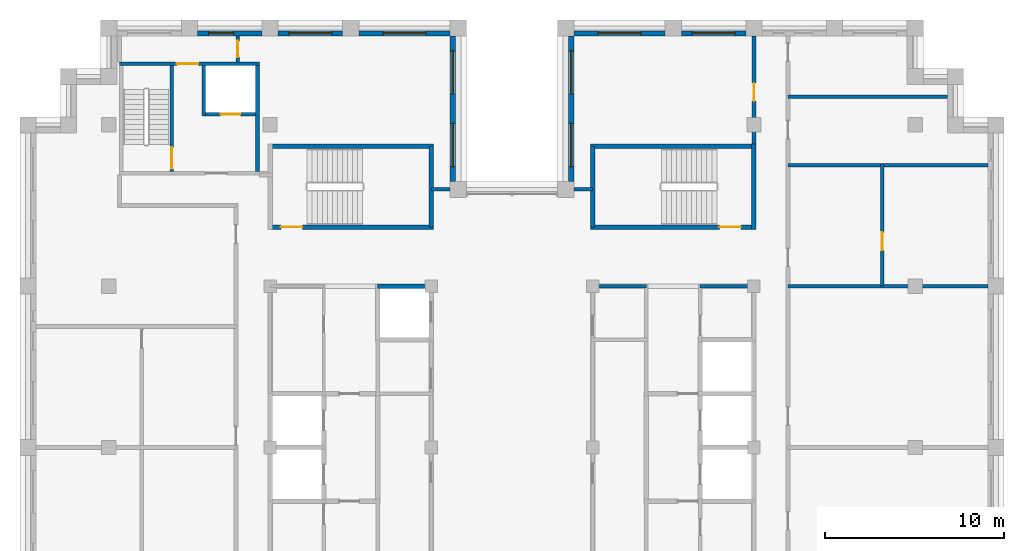
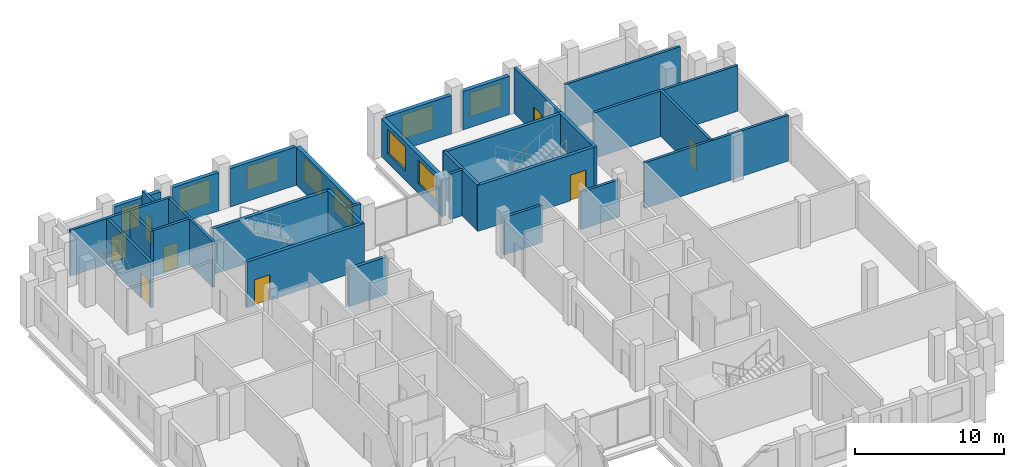
# One storey, part 10 of 13: 30 walls, 9 windows, 8 doors, 17 openings.
"""IFC4 building model written with IfcOpenShell, lengths in metres."""

from ifc_helpers import new_model, si_unit, direction, frame, frame_2d, origin, place, context, subcontext, project, spatial, rectangle, extrude, material, layer, layer_set, type_object, element, fill, save


model = new_model("IFC4")

# Units and contexts
model_context = context("Model", 3, precision=1e-05, world=origin(), true_north=direction((0.0, 1.0)))
body_context = subcontext(model_context, "Body", "Model", "MODEL_VIEW")
ifc_project = project(units=[si_unit("LENGTHUNIT", "METRE"), si_unit("AREAUNIT", "SQUARE_METRE"), si_unit("VOLUMEUNIT", "CUBIC_METRE"), si_unit("PLANEANGLEUNIT", "RADIAN"), si_unit("MASSUNIT", "GRAM", prefix="KILO")], contexts=[model_context])

# Site, building, storey
site_placement = place(None, origin())
site = spatial("IfcSite", under=ifc_project, at=site_placement, CompositionType="ELEMENT")
building_placement = place(site_placement, origin())
building = spatial("IfcBuilding", under=site, at=building_placement, Name="Corbelhall Arena Tower", CompositionType="ELEMENT")
storey_placement = place(building_placement, frame((0.0, 0.0, 308.0)))
storey = spatial("IfcBuildingStorey", under=building, at=storey_placement, Name="L67", CompositionType="ELEMENT", Elevation=308.0)

# Wall, opening, window
ifc_material_1 = material(Name="Precast concrete C40/50 with granite facing", Category="masonry")
ifc_layer_1 = layer(ifc_material_1, 0.300048828125)
ifc_layer_set_1 = layer_set([ifc_layer_1], Name="EV-IW1 Infill panel 300")
wall_type_1 = type_object("IfcWallType", Name="EV-IW1 Infill panel 300", PredefinedType="SOLIDWALL", material=ifc_layer_set_1)
wall_1_placement = place(storey_placement, frame((13.050048828125, 23.10009765625, 0.0), z_axis=(0.0, 0.0, 1.0), x_axis=(-1.0, 0.0, 0.0)))
wall_1 = element("IfcWall", 1, at=wall_1_placement, inside=storey, type_object=wall_type_1, Name="Infill panel IW1", PredefinedType="SOLIDWALL", context=body_context, shape_type="SweptSolid", body=[
    extrude(rectangle(XDim=3.60009765625, YDim=0.300048828125, at=frame_2d((1.800048828125, 0.0))), origin(), (0.0, 0.0, 1.0), 3.139892578125),
])
opening_1_placement = place(wall_1_placement, frame((0.60009765625, 0.0, 0.800048828125)))
opening_1 = element("IfcOpeningElement", 2, at=opening_1_placement, cuts=wall_1, Name="Opening WN1", PredefinedType="OPENING", context=body_context, shape_type="SweptSolid", body=[
    extrude(rectangle(XDim=2.39990234375, YDim=1.949951171875, at=frame_2d((1.199951171875, 0.97509765625))), frame((0.0, 0.14990234375, 0.0), z_axis=(0.0, -1.0, 0.0), x_axis=(1.0, 0.0, 0.0)), (0.0, 0.0, 1.0), 0.300048828125),
])
ifc_material_2 = material(Name="Aluminium black anodised", Category="aluminium")
window_type_1 = type_object("IfcWindowType", Name="EV-WN1 Office window", PartitioningType="SINGLE_PANEL", PredefinedType="WINDOW", material=ifc_material_2)
window_1_placement = place(opening_1_placement, origin())
window_1 = element("IfcWindow", 3, at=window_1_placement, inside=storey, type_object=window_type_1, Name="Window WN1", OverallHeight=1.949951171875, OverallWidth=2.39990234375, PartitioningType="SINGLE_PANEL", PredefinedType="WINDOW", context=body_context, shape_type="SweptSolid", body=[
    extrude(rectangle(XDim=2.39990234375, YDim=1.949951171875, at=frame_2d((1.199951171875, 0.97509765625))), frame((0.0, 0.030029296875, 0.0), z_axis=(0.0, -1.0, 0.0), x_axis=(1.0, 0.0, 0.0)), (0.0, 0.0, 1.0), 0.06005859375),
])
fill(opening_1, window_1)

wall_2_placement = place(storey_placement, frame((8.550048828125, 23.10009765625, 0.0), z_axis=(0.0, 0.0, 1.0), x_axis=(-1.0, 0.0, 0.0)))
wall_2 = element("IfcWall", 4, at=wall_2_placement, inside=storey, type_object=wall_type_1, Name="Infill panel IW1", PredefinedType="SOLIDWALL", context=body_context, shape_type="SweptSolid", body=[
    extrude(rectangle(XDim=5.10009765625, YDim=0.300048828125, at=frame_2d((2.550048828125, 0.0))), origin(), (0.0, 0.0, 1.0), 3.139892578125),
])
opening_2_placement = place(wall_2_placement, frame((1.35009765625, 0.0, 0.800048828125)))
opening_2 = element("IfcOpeningElement", 5, at=opening_2_placement, cuts=wall_2, Name="Opening WN1", PredefinedType="OPENING", context=body_context, shape_type="SweptSolid", body=[
    extrude(rectangle(XDim=2.39990234375, YDim=1.949951171875, at=frame_2d((1.199951171875, 0.97509765625))), frame((0.0, 0.14990234375, 0.0), z_axis=(0.0, -1.0, 0.0), x_axis=(1.0, 0.0, 0.0)), (0.0, 0.0, 1.0), 0.300048828125),
])
window_2_placement = place(opening_2_placement, origin())
window_2 = element("IfcWindow", 6, at=window_2_placement, inside=storey, type_object=window_type_1, Name="Window WN1", OverallHeight=1.949951171875, OverallWidth=2.39990234375, PartitioningType="SINGLE_PANEL", PredefinedType="WINDOW", context=body_context, shape_type="SweptSolid", body=[
    extrude(rectangle(XDim=2.39990234375, YDim=1.949951171875, at=frame_2d((1.199951171875, 0.97509765625))), frame((0.0, 0.030029296875, 0.0), z_axis=(0.0, -1.0, 0.0), x_axis=(1.0, 0.0, 0.0)), (0.0, 0.0, 1.0), 0.06005859375),
])
fill(opening_2, window_2)

# Wall, openings, windows
wall_3_placement = place(storey_placement, frame((3.300048828125, 22.949951171875, 0.0), z_axis=(0.0, 0.0, 1.0), x_axis=(0.0, -1.0, 0.0)))
wall_3 = element("IfcWall", 7, at=wall_3_placement, inside=storey, type_object=wall_type_1, Name="Infill panel IW1", PredefinedType="SOLIDWALL", context=body_context, shape_type="SweptSolid", body=[
    extrude(rectangle(XDim=8.099853515625, YDim=0.300048828125, at=frame_2d((4.0498046875, 0.0))), origin(), (0.0, 0.0, 1.0), 3.139892578125),
])
opening_3_placement = place(wall_3_placement, frame((0.824951171875, 0.0, 0.800048828125)))
opening_3 = element("IfcOpeningElement", 8, at=opening_3_placement, cuts=wall_3, Name="Opening WN1", PredefinedType="OPENING", context=body_context, shape_type="SweptSolid", body=[
    extrude(rectangle(XDim=2.39990234375, YDim=1.949951171875, at=frame_2d((1.199951171875, 0.97509765625))), frame((0.0, 0.14990234375, 0.0), z_axis=(0.0, -1.0, 0.0), x_axis=(1.0, 0.0, 0.0)), (0.0, 0.0, 1.0), 0.300048828125),
])
opening_4_placement = place(wall_3_placement, frame((4.875, 0.0, 0.800048828125)))
opening_4 = element("IfcOpeningElement", 9, at=opening_4_placement, cuts=wall_3, Name="Opening WN1", PredefinedType="OPENING", context=body_context, shape_type="SweptSolid", body=[
    extrude(rectangle(XDim=2.39990234375, YDim=1.949951171875, at=frame_2d((1.199951171875, 0.97509765625))), frame((0.0, 0.14990234375, 0.0), z_axis=(0.0, -1.0, 0.0), x_axis=(1.0, 0.0, 0.0)), (0.0, 0.0, 1.0), 0.300048828125),
])
window_3_placement = place(opening_3_placement, origin())
window_3 = element("IfcWindow", 10, at=window_3_placement, inside=storey, type_object=window_type_1, Name="Window WN1", OverallHeight=1.949951171875, OverallWidth=2.39990234375, PartitioningType="SINGLE_PANEL", PredefinedType="WINDOW", context=body_context, shape_type="SweptSolid", body=[
    extrude(rectangle(XDim=2.39990234375, YDim=1.949951171875, at=frame_2d((1.199951171875, 0.97509765625))), frame((0.0, 0.030029296875, 0.0), z_axis=(0.0, -1.0, 0.0), x_axis=(1.0, 0.0, 0.0)), (0.0, 0.0, 1.0), 0.06005859375),
])
fill(opening_3, window_3)
window_4_placement = place(opening_4_placement, origin())
window_4 = element("IfcWindow", 11, at=window_4_placement, inside=storey, type_object=window_type_1, Name="Window WN1", OverallHeight=1.949951171875, OverallWidth=2.39990234375, PartitioningType="SINGLE_PANEL", PredefinedType="WINDOW", context=body_context, shape_type="SweptSolid", body=[
    extrude(rectangle(XDim=2.39990234375, YDim=1.949951171875, at=frame_2d((1.199951171875, 0.97509765625))), frame((0.0, 0.030029296875, 0.0), z_axis=(0.0, -1.0, 0.0), x_axis=(1.0, 0.0, 0.0)), (0.0, 0.0, 1.0), 0.06005859375),
])
fill(opening_4, window_4)

wall_4_placement = place(storey_placement, frame((-3.300048828125, 14.85009765625, 0.0), z_axis=(0.0, 0.0, 1.0), x_axis=(0.0, 1.0, 0.0)))
wall_4 = element("IfcWall", 12, at=wall_4_placement, inside=storey, type_object=wall_type_1, Name="Infill panel IW1", PredefinedType="SOLIDWALL", context=body_context, shape_type="SweptSolid", body=[
    extrude(rectangle(XDim=8.099853515625, YDim=0.300048828125, at=frame_2d((4.0498046875, 0.0))), origin(), (0.0, 0.0, 1.0), 3.139892578125),
])
opening_5_placement = place(wall_4_placement, frame((0.824951171875, 0.0, 0.800048828125)))
opening_5 = element("IfcOpeningElement", 13, at=opening_5_placement, cuts=wall_4, Name="Opening WN1", PredefinedType="OPENING", context=body_context, shape_type="SweptSolid", body=[
    extrude(rectangle(XDim=2.39990234375, YDim=1.949951171875, at=frame_2d((1.199951171875, 0.97509765625))), frame((0.0, 0.14990234375, 0.0), z_axis=(0.0, -1.0, 0.0), x_axis=(1.0, 0.0, 0.0)), (0.0, 0.0, 1.0), 0.300048828125),
])
opening_6_placement = place(wall_4_placement, frame((4.875, 0.0, 0.800048828125)))
opening_6 = element("IfcOpeningElement", 14, at=opening_6_placement, cuts=wall_4, Name="Opening WN1", PredefinedType="OPENING", context=body_context, shape_type="SweptSolid", body=[
    extrude(rectangle(XDim=2.39990234375, YDim=1.949951171875, at=frame_2d((1.199951171875, 0.97509765625))), frame((0.0, 0.14990234375, 0.0), z_axis=(0.0, -1.0, 0.0), x_axis=(1.0, 0.0, 0.0)), (0.0, 0.0, 1.0), 0.300048828125),
])
window_5_placement = place(opening_5_placement, origin())
window_5 = element("IfcWindow", 15, at=window_5_placement, inside=storey, type_object=window_type_1, Name="Window WN1", OverallHeight=1.949951171875, OverallWidth=2.39990234375, PartitioningType="SINGLE_PANEL", PredefinedType="WINDOW", context=body_context, shape_type="SweptSolid", body=[
    extrude(rectangle(XDim=2.39990234375, YDim=1.949951171875, at=frame_2d((1.199951171875, 0.97509765625))), frame((0.0, 0.030029296875, 0.0), z_axis=(0.0, -1.0, 0.0), x_axis=(1.0, 0.0, 0.0)), (0.0, 0.0, 1.0), 0.06005859375),
])
fill(opening_5, window_5)
window_6_placement = place(opening_6_placement, origin())
window_6 = element("IfcWindow", 16, at=window_6_placement, inside=storey, type_object=window_type_1, Name="Window WN1", OverallHeight=1.949951171875, OverallWidth=2.39990234375, PartitioningType="SINGLE_PANEL", PredefinedType="WINDOW", context=body_context, shape_type="SweptSolid", body=[
    extrude(rectangle(XDim=2.39990234375, YDim=1.949951171875, at=frame_2d((1.199951171875, 0.97509765625))), frame((0.0, 0.030029296875, 0.0), z_axis=(0.0, -1.0, 0.0), x_axis=(1.0, 0.0, 0.0)), (0.0, 0.0, 1.0), 0.06005859375),
])
fill(opening_6, window_6)

# Wall, opening, window
wall_5_placement = place(storey_placement, frame((-3.449951171875, 23.10009765625, 0.0), z_axis=(0.0, 0.0, 1.0), x_axis=(-1.0, 0.0, 0.0)))
wall_5 = element("IfcWall", 17, at=wall_5_placement, inside=storey, type_object=wall_type_1, Name="Infill panel IW1", PredefinedType="SOLIDWALL", context=body_context, shape_type="SweptSolid", body=[
    extrude(rectangle(XDim=5.10009765625, YDim=0.300048828125, at=frame_2d((2.550048828125, 0.0))), origin(), (0.0, 0.0, 1.0), 3.139892578125),
])
opening_7_placement = place(wall_5_placement, frame((1.35009765625, 0.0, 0.800048828125)))
opening_7 = element("IfcOpeningElement", 18, at=opening_7_placement, cuts=wall_5, Name="Opening WN1", PredefinedType="OPENING", context=body_context, shape_type="SweptSolid", body=[
    extrude(rectangle(XDim=2.39990234375, YDim=1.949951171875, at=frame_2d((1.199951171875, 0.97509765625))), frame((0.0, 0.14990234375, 0.0), z_axis=(0.0, -1.0, 0.0), x_axis=(1.0, 0.0, 0.0)), (0.0, 0.0, 1.0), 0.300048828125),
])
window_7_placement = place(opening_7_placement, origin())
window_7 = element("IfcWindow", 19, at=window_7_placement, inside=storey, type_object=window_type_1, Name="Window WN1", OverallHeight=1.949951171875, OverallWidth=2.39990234375, PartitioningType="SINGLE_PANEL", PredefinedType="WINDOW", context=body_context, shape_type="SweptSolid", body=[
    extrude(rectangle(XDim=2.39990234375, YDim=1.949951171875, at=frame_2d((1.199951171875, 0.97509765625))), frame((0.0, 0.030029296875, 0.0), z_axis=(0.0, -1.0, 0.0), x_axis=(1.0, 0.0, 0.0)), (0.0, 0.0, 1.0), 0.06005859375),
])
fill(opening_7, window_7)

wall_6_placement = place(storey_placement, frame((-9.449951171875, 23.10009765625, 0.0), z_axis=(0.0, 0.0, 1.0), x_axis=(-1.0, 0.0, 0.0)))
wall_6 = element("IfcWall", 20, at=wall_6_placement, inside=storey, type_object=wall_type_1, Name="Infill panel IW1", PredefinedType="SOLIDWALL", context=body_context, shape_type="SweptSolid", body=[
    extrude(rectangle(XDim=3.60009765625, YDim=0.300048828125, at=frame_2d((1.800048828125, 0.0))), origin(), (0.0, 0.0, 1.0), 3.139892578125),
])
opening_8_placement = place(wall_6_placement, frame((0.60009765625, 0.0, 0.800048828125)))
opening_8 = element("IfcOpeningElement", 21, at=opening_8_placement, cuts=wall_6, Name="Opening WN1", PredefinedType="OPENING", context=body_context, shape_type="SweptSolid", body=[
    extrude(rectangle(XDim=2.39990234375, YDim=1.949951171875, at=frame_2d((1.199951171875, 0.97509765625))), frame((0.0, 0.14990234375, 0.0), z_axis=(0.0, -1.0, 0.0), x_axis=(1.0, 0.0, 0.0)), (0.0, 0.0, 1.0), 0.300048828125),
])
window_8_placement = place(opening_8_placement, origin())
window_8 = element("IfcWindow", 22, at=window_8_placement, inside=storey, type_object=window_type_1, Name="Window WN1", OverallHeight=1.949951171875, OverallWidth=2.39990234375, PartitioningType="SINGLE_PANEL", PredefinedType="WINDOW", context=body_context, shape_type="SweptSolid", body=[
    extrude(rectangle(XDim=2.39990234375, YDim=1.949951171875, at=frame_2d((1.199951171875, 0.97509765625))), frame((0.0, 0.030029296875, 0.0), z_axis=(0.0, -1.0, 0.0), x_axis=(1.0, 0.0, 0.0)), (0.0, 0.0, 1.0), 0.06005859375),
])
fill(opening_8, window_8)

wall_7_placement = place(storey_placement, frame((-13.949951171875, 23.10009765625, 0.0), z_axis=(0.0, 0.0, 1.0), x_axis=(-1.0, 0.0, 0.0)))
wall_7 = element("IfcWall", 23, at=wall_7_placement, inside=storey, type_object=wall_type_1, Name="Infill panel IW1", PredefinedType="SOLIDWALL", context=body_context, shape_type="SweptSolid", body=[
    extrude(rectangle(XDim=3.60009765625, YDim=0.300048828125, at=frame_2d((1.800048828125, 0.0))), origin(), (0.0, 0.0, 1.0), 3.139892578125),
])
opening_9_placement = place(wall_7_placement, frame((1.574951171875, 0.0, 0.800048828125)))
opening_9 = element("IfcOpeningElement", 24, at=opening_9_placement, cuts=wall_7, Name="Opening WN7", PredefinedType="OPENING", context=body_context, shape_type="SweptSolid", body=[
    extrude(rectangle(XDim=1.39990234375, YDim=1.949951171875, at=frame_2d((0.699951171875, 0.97509765625))), frame((0.0, 0.14990234375, 0.0), z_axis=(0.0, -1.0, 0.0), x_axis=(1.0, 0.0, 0.0)), (0.0, 0.0, 1.0), 0.300048828125),
])
window_type_2 = type_object("IfcWindowType", Name="EV-WN7 Office window 1400", PartitioningType="SINGLE_PANEL", PredefinedType="WINDOW", material=ifc_material_2)
window_9_placement = place(opening_9_placement, origin())
window_9 = element("IfcWindow", 25, at=window_9_placement, inside=storey, type_object=window_type_2, Name="Window WN7", OverallHeight=1.949951171875, OverallWidth=1.39990234375, PartitioningType="SINGLE_PANEL", PredefinedType="WINDOW", context=body_context, shape_type="SweptSolid", body=[
    extrude(rectangle(XDim=1.39990234375, YDim=1.949951171875, at=frame_2d((0.699951171875, 0.97509765625))), frame((0.0, 0.030029296875, 0.0), z_axis=(0.0, -1.0, 0.0), x_axis=(1.0, 0.0, 0.0)), (0.0, 0.0, 1.0), 0.06005859375),
])
fill(opening_9, window_9)

# Wall, opening, door
ifc_material_3 = material(Name="Gypsum board on steel stud, acoustic", Category="steel")
ifc_layer_2 = layer(ifc_material_3, 0.199951171875)
ifc_layer_set_2 = layer_set([ifc_layer_2], Name="IN-W-DM200")
wall_type_2 = type_object("IfcWallType", Name="IN-W-DM200", PredefinedType="PARTITIONING", material=ifc_layer_set_2)
wall_8_placement = place(storey_placement, frame((-15.300048828125, 22.949951171875, 0.0), z_axis=(0.0, 0.0, 1.0), x_axis=(0.0, -1.0, 0.0)))
wall_8 = element("IfcWall", 26, at=wall_8_placement, inside=storey, type_object=wall_type_2, Name="Partition 011", PredefinedType="PARTITIONING", context=body_context, shape_type="SweptSolid", body=[
    extrude(rectangle(XDim=1.449951171875, YDim=0.199951171875, at=frame_2d((0.72509765625, 0.0))), origin(), (0.0, 0.0, 1.0), 3.739990234375),
])
opening_10_placement = place(wall_8_placement, frame((0.27001953125, 0.0, 0.0)))
opening_10 = element("IfcOpeningElement", 27, at=opening_10_placement, cuts=wall_8, Name="Opening 21037", PredefinedType="OPENING", context=body_context, shape_type="SweptSolid", body=[
    extrude(rectangle(XDim=0.89990234375, YDim=2.10009765625, at=frame_2d((0.449951171875, 1.050048828125))), frame((0.0, 0.10009765625, 0.0), z_axis=(0.0, -1.0, 0.0), x_axis=(1.0, 0.0, 0.0)), (0.0, 0.0, 1.0), 0.199951171875),
])
ifc_material_4 = material(Name="Timber door set", Category="wood")
door_type_1 = type_object("IfcDoorType", Name="IN-D-SW90", OperationType="NOTDEFINED", PredefinedType="DOOR", material=ifc_material_4)
door_1_placement = place(opening_10_placement, origin())
door_1 = element("IfcDoor", 28, at=door_1_placement, inside=storey, type_object=door_type_1, Name="Door 037", OperationType="SINGLE_SWING_LEFT", OverallHeight=2.10009765625, OverallWidth=0.89990234375, PredefinedType="DOOR", context=body_context, shape_type="SweptSolid", body=[
    extrude(rectangle(XDim=0.89990234375, YDim=2.10009765625, at=frame_2d((0.449951171875, 1.050048828125))), frame((0.0, 0.02490234375, 0.0), z_axis=(0.0, -1.0, 0.0), x_axis=(1.0, 0.0, 0.0)), (0.0, 0.0, 1.0), 0.050048828125),
])
fill(opening_10, door_1)

# Walls
for number, where, z_axis, x_axis, name in (
    (29, (-4.5, 14.39990234375, 0.0), (0.0, 0.0, 1.0), (1.0, 0.0, 0.0), "Partition 014"),
    (30, (3.449951171875, 14.39990234375, 0.0), (0.0, 0.0, 1.0), (1.0, 0.0, 0.0), "Partition 016"),
):
    element("IfcWall", number, at=place(storey_placement, frame(where, z_axis=z_axis, x_axis=x_axis)), inside=storey, type_object=wall_type_2, Name=name, PredefinedType="PARTITIONING", context=body_context, shape_type="SweptSolid", body=[
        extrude(rectangle(XDim=1.050048828125, YDim=0.199951171875, at=frame_2d((0.52490234375, 0.0))), origin(), (0.0, 0.0, 1.0), 3.739990234375),
    ])

# Wall, opening, door
wall_9_placement = place(storey_placement, frame((13.5, 16.675048828125, 0.0), z_axis=(0.0, 0.0, 1.0), x_axis=(0.0, 1.0, 0.0)))
wall_9 = element("IfcWall", 31, at=wall_9_placement, inside=storey, type_object=wall_type_2, Name="Partition 019", PredefinedType="PARTITIONING", context=body_context, shape_type="SweptSolid", body=[
    extrude(rectangle(XDim=6.27490234375, YDim=0.199951171875, at=frame_2d((3.137451171875, 0.0))), origin(), (0.0, 0.0, 1.0), 3.739990234375),
])
opening_11_placement = place(wall_9_placement, frame((2.64990234375, 0.0, 0.0)))
opening_11 = element("IfcOpeningElement", 32, at=opening_11_placement, cuts=wall_9, Name="Opening 21018", PredefinedType="OPENING", context=body_context, shape_type="SweptSolid", body=[
    extrude(rectangle(XDim=1.0, YDim=2.10009765625, at=frame_2d((0.5, 1.050048828125))), frame((0.0, 0.10009765625, 0.0), z_axis=(0.0, -1.0, 0.0), x_axis=(1.0, 0.0, 0.0)), (0.0, 0.0, 1.0), 0.199951171875),
])
ifc_material_5 = material(Name="Steel door set", Category="steel")
door_type_2 = type_object("IfcDoorType", Name="IN-D-SW100", OperationType="NOTDEFINED", PredefinedType="DOOR", material=ifc_material_5)
door_2_placement = place(opening_11_placement, origin())
door_2 = element("IfcDoor", 33, at=door_2_placement, inside=storey, type_object=door_type_2, Name="Door 018", OperationType="SINGLE_SWING_LEFT", OverallHeight=2.10009765625, OverallWidth=1.0, PredefinedType="DOOR", context=body_context, shape_type="SweptSolid", body=[
    extrude(rectangle(XDim=1.0, YDim=2.10009765625, at=frame_2d((0.5, 1.050048828125))), frame((0.0, 0.02490234375, 0.0), z_axis=(0.0, -1.0, 0.0), x_axis=(1.0, 0.0, 0.0)), (0.0, 0.0, 1.0), 0.050048828125),
])
fill(opening_11, door_2)

# Walls
for number, where, z_axis, x_axis, name in (
    (34, (15.39990234375, 9.0, 0.0), (0.0, 0.0, 1.0), (1.0, 0.0, 0.0), "Partition 022"),
    (35, (15.39990234375, 15.75, 0.0), (0.0, 0.0, 1.0), (1.0, 0.0, 0.0), "Partition 023"),
):
    element("IfcWall", number, at=place(storey_placement, frame(where, z_axis=z_axis, x_axis=x_axis)), inside=storey, type_object=wall_type_2, Name=name, PredefinedType="PARTITIONING", context=body_context, shape_type="SweptSolid", body=[
        extrude(rectangle(XDim=11.150146484375, YDim=0.199951171875, at=frame_2d((5.5751953125, 0.0))), origin(), (0.0, 0.0, 1.0), 3.739990234375),
    ])
wall_10_placement = place(storey_placement, frame((15.39990234375, 19.574951171875, 0.0), z_axis=(0.0, 0.0, 1.0), x_axis=(1.0, 0.0, 0.0)))
element("IfcWall", 36, at=wall_10_placement, inside=storey, type_object=wall_type_2, Name="Partition 024", PredefinedType="PARTITIONING", context=body_context, shape_type="SweptSolid", body=[
    extrude(rectangle(XDim=8.900146484375, YDim=0.199951171875, at=frame_2d((4.4501953125, 0.0))), origin(), (0.0, 0.0, 1.0), 3.739990234375),
])

# Wall, opening, door
wall_11_placement = place(storey_placement, frame((20.64990234375, 15.85009765625, 0.0), z_axis=(0.0, 0.0, 1.0), x_axis=(0.0, -1.0, 0.0)))
wall_11 = element("IfcWall", 37, at=wall_11_placement, inside=storey, type_object=wall_type_2, Name="Partition 025", PredefinedType="PARTITIONING", context=body_context, shape_type="SweptSolid", body=[
    extrude(rectangle(XDim=6.85009765625, YDim=0.199951171875, at=frame_2d((3.425048828125, 0.0))), origin(), (0.0, 0.0, 1.0), 3.739990234375),
])
opening_12_placement = place(wall_11_placement, frame((3.85009765625, 0.0, 0.0)))
opening_12 = element("IfcOpeningElement", 38, at=opening_12_placement, cuts=wall_11, Name="Opening 21031", PredefinedType="OPENING", context=body_context, shape_type="SweptSolid", body=[
    extrude(rectangle(XDim=1.0, YDim=2.10009765625, at=frame_2d((0.5, 1.050048828125))), frame((0.0, 0.10009765625, 0.0), z_axis=(0.0, -1.0, 0.0), x_axis=(1.0, 0.0, 0.0)), (0.0, 0.0, 1.0), 0.199951171875),
])
door_3_placement = place(opening_12_placement, origin())
door_3 = element("IfcDoor", 39, at=door_3_placement, inside=storey, type_object=door_type_2, Name="Door 031", OperationType="SINGLE_SWING_RIGHT", OverallHeight=2.10009765625, OverallWidth=1.0, PredefinedType="DOOR", context=body_context, shape_type="SweptSolid", body=[
    extrude(rectangle(XDim=1.0, YDim=2.10009765625, at=frame_2d((0.5, 1.050048828125))), frame((0.0, 0.02490234375, 0.0), z_axis=(0.0, -1.0, 0.0), x_axis=(1.0, 0.0, 0.0)), (0.0, 0.0, 1.0), 0.050048828125),
])
fill(opening_12, door_3)

ifc_material_6 = material(Name="Concrete C40/50", Category="concrete")
ifc_layer_3 = layer(ifc_material_6, 0.199951171875)
ifc_layer_set_3 = layer_set([ifc_layer_3], Name="IN-W-EAR200")
wall_type_3 = type_object("IfcWallType", Name="IN-W-EAR200", PredefinedType="SOLIDWALL", material=ifc_layer_set_3)
wall_12_placement = place(storey_placement, frame((-21.89990234375, 21.39990234375, 0.0), z_axis=(0.0, 0.0, 1.0), x_axis=(1.0, 0.0, 0.0)))
wall_12 = element("IfcWall", 40, at=wall_12_placement, inside=storey, type_object=wall_type_3, Name="Fire service turret wall north", PredefinedType="SOLIDWALL", context=body_context, shape_type="SweptSolid", body=[
    extrude(rectangle(XDim=7.7998046875, YDim=0.199951171875, at=frame_2d((3.89990234375, 0.0))), origin(), (0.0, 0.0, 1.0), 3.739990234375),
])
opening_13_placement = place(wall_12_placement, frame((3.199951171875, 0.0, 0.0)))
opening_13 = element("IfcOpeningElement", 41, at=opening_13_placement, cuts=wall_12, Name="Opening E213", PredefinedType="OPENING", context=body_context, shape_type="SweptSolid", body=[
    extrude(rectangle(XDim=1.199951171875, YDim=2.10009765625, at=frame_2d((0.60009765625, 1.050048828125))), frame((0.0, 0.10009765625, 0.0), z_axis=(0.0, -1.0, 0.0), x_axis=(1.0, 0.0, 0.0)), (0.0, 0.0, 1.0), 0.199951171875),
])
door_type_3 = type_object("IfcDoorType", Name="IN-D-ST120", OperationType="NOTDEFINED", PredefinedType="DOOR", material=ifc_material_5)
door_4_placement = place(opening_13_placement, origin())
door_4 = element("IfcDoor", 42, at=door_4_placement, inside=storey, type_object=door_type_3, Name="Door from fire service lift lobby to the north gallery", OperationType="SINGLE_SWING_LEFT", OverallHeight=2.10009765625, OverallWidth=1.199951171875, PredefinedType="DOOR", context=body_context, shape_type="SweptSolid", body=[
    extrude(rectangle(XDim=1.199951171875, YDim=2.10009765625, at=frame_2d((0.60009765625, 1.050048828125))), frame((0.0, 0.02490234375, 0.0), z_axis=(0.0, -1.0, 0.0), x_axis=(1.0, 0.0, 0.0)), (0.0, 0.0, 1.0), 0.050048828125),
])
fill(opening_13, door_4)

# Wall
wall_13_placement = place(storey_placement, frame((-14.199951171875, 15.39990234375, 0.0), z_axis=(0.0, 0.0, 1.0), x_axis=(0.0, 1.0, 0.0)))
element("IfcWall", 43, at=wall_13_placement, inside=storey, type_object=wall_type_3, Name="Fire service turret wall east", PredefinedType="SOLIDWALL", context=body_context, shape_type="SweptSolid", body=[
    extrude(rectangle(XDim=5.900146484375, YDim=0.199951171875, at=frame_2d((2.9501953125, 0.0))), origin(), (0.0, 0.0, 1.0), 3.739990234375),
])

# Wall, opening, door
wall_14_placement = place(storey_placement, frame((-18.989990234375, 15.39990234375, 0.0), z_axis=(0.0, 0.0, 1.0), x_axis=(0.0, 1.0, 0.0)))
wall_14 = element("IfcWall", 44, at=wall_14_placement, inside=storey, type_object=wall_type_3, Name="Fire service turret wall stair", PredefinedType="SOLIDWALL", context=body_context, shape_type="SweptSolid", body=[
    extrude(rectangle(XDim=5.900146484375, YDim=0.199951171875, at=frame_2d((2.9501953125, 0.0))), origin(), (0.0, 0.0, 1.0), 3.739990234375),
])
opening_14_placement = place(wall_14_placement, frame((0.14990234375, 0.0, 0.0)))
opening_14 = element("IfcOpeningElement", 45, at=opening_14_placement, cuts=wall_14, Name="Opening E211", PredefinedType="OPENING", context=body_context, shape_type="SweptSolid", body=[
    extrude(rectangle(XDim=1.199951171875, YDim=2.10009765625, at=frame_2d((0.60009765625, 1.050048828125))), frame((0.0, 0.10009765625, 0.0), z_axis=(0.0, -1.0, 0.0), x_axis=(1.0, 0.0, 0.0)), (0.0, 0.0, 1.0), 0.199951171875),
])
door_5_placement = place(opening_14_placement, origin())
door_5 = element("IfcDoor", 46, at=door_5_placement, inside=storey, type_object=door_type_3, Name="Stair door to fire service lobby", OperationType="SINGLE_SWING_LEFT", OverallHeight=2.10009765625, OverallWidth=1.199951171875, PredefinedType="DOOR", context=body_context, shape_type="SweptSolid", body=[
    extrude(rectangle(XDim=1.199951171875, YDim=2.10009765625, at=frame_2d((0.60009765625, 1.050048828125))), frame((0.0, 0.02490234375, 0.0), z_axis=(0.0, -1.0, 0.0), x_axis=(1.0, 0.0, 0.0)), (0.0, 0.0, 1.0), 0.050048828125),
])
fill(opening_14, door_5)

# Wall
wall_15_placement = place(storey_placement, frame((-17.199951171875, 18.5, 0.0), z_axis=(0.0, 0.0, 1.0), x_axis=(0.0, 1.0, 0.0)))
element("IfcWall", 47, at=wall_15_placement, inside=storey, type_object=wall_type_3, Name="Fire service turret wall hoistway west", PredefinedType="SOLIDWALL", context=body_context, shape_type="SweptSolid", body=[
    extrude(rectangle(XDim=2.800048828125, YDim=0.199951171875, at=frame_2d((1.39990234375, 0.0))), origin(), (0.0, 0.0, 1.0), 3.739990234375),
])

# Wall, opening, door
wall_16_placement = place(storey_placement, frame((-17.10009765625, 18.60009765625, 0.0), z_axis=(0.0, 0.0, 1.0), x_axis=(1.0, 0.0, 0.0)))
wall_16 = element("IfcWall", 48, at=wall_16_placement, inside=storey, type_object=wall_type_3, Name="Fire service turret wall hoistway south", PredefinedType="SOLIDWALL", context=body_context, shape_type="SweptSolid", body=[
    extrude(rectangle(XDim=2.800048828125, YDim=0.199951171875, at=frame_2d((1.39990234375, 0.0))), origin(), (0.0, 0.0, 1.0), 3.739990234375),
])
opening_15_placement = place(wall_16_placement, frame((0.85009765625, 0.0, 0.0)))
opening_15 = element("IfcOpeningElement", 49, at=opening_15_placement, cuts=wall_16, Name="Opening LD", PredefinedType="OPENING", context=body_context, shape_type="SweptSolid", body=[
    extrude(rectangle(XDim=1.10009765625, YDim=2.10009765625, at=frame_2d((0.550048828125, 1.050048828125))), frame((0.0, 0.10009765625, 0.0), z_axis=(0.0, -1.0, 0.0), x_axis=(1.0, 0.0, 0.0)), (0.0, 0.0, 1.0), 0.199951171875),
])
door_type_4 = type_object("IfcDoorType", Name="IN-D-LD110", OperationType="NOTDEFINED", PredefinedType="DOOR", material=ifc_material_5)
door_6_placement = place(opening_15_placement, origin())
door_6 = element("IfcDoor", 50, at=door_6_placement, inside=storey, type_object=door_type_4, Name="Landing door FS1", OperationType="SLIDING_TO_LEFT", OverallHeight=2.10009765625, OverallWidth=1.10009765625, PredefinedType="DOOR", context=body_context, shape_type="SweptSolid", body=[
    extrude(rectangle(XDim=1.10009765625, YDim=2.10009765625, at=frame_2d((0.550048828125, 1.050048828125))), frame((0.0, 0.02490234375, 0.0), z_axis=(0.0, -1.0, 0.0), x_axis=(1.0, 0.0, 0.0)), (0.0, 0.0, 1.0), 0.050048828125),
])
fill(opening_15, door_6)

# Walls
ifc_material_7 = material(Name="Concrete block wall", Category="concrete")
ifc_layer_4 = layer(ifc_material_7, 0.199951171875)
ifc_layer_set_4 = layer_set([ifc_layer_4], Name="IN-W-RS200 under beam 678 mm")
wall_type_4 = type_object("IfcWallType", Name="IN-W-RS200 under beam 678 mm", PredefinedType="SOLIDWALL", material=ifc_layer_set_4)
for number, where, z_axis, x_axis, name in (
    (51, (4.5, 9.0, 0.0), (0.0, 0.0, 1.0), (1.0, 0.0, 0.0), "Partition 036"),
    (52, (10.5, 9.0, 0.0), (0.0, 0.0, 1.0), (1.0, 0.0, 0.0), "Partition 040"),
):
    element("IfcWall", number, at=place(storey_placement, frame(where, z_axis=z_axis, x_axis=x_axis)), inside=storey, type_object=wall_type_4, Name=name, PredefinedType="SOLIDWALL", context=body_context, shape_type="SweptSolid", body=[
        extrude(rectangle(XDim=3.0, YDim=0.199951171875, at=frame_2d((1.5, 0.0))), origin(), (0.0, 0.0, 1.0), 3.061767578125),
    ])
ifc_layer_5 = layer(ifc_material_6, 0.25)
ifc_layer_set_5 = layer_set([ifc_layer_5], Name="IN-W-SH250 under beam 678 mm")
wall_type_5 = type_object("IfcWallType", Name="IN-W-SH250 under beam 678 mm", PredefinedType="SOLIDWALL", material=ifc_layer_set_5)
wall_17_placement = place(storey_placement, frame((-7.5, 9.0, 0.0), z_axis=(0.0, 0.0, 1.0), x_axis=(1.0, 0.0, 0.0)))
element("IfcWall", 53, at=wall_17_placement, inside=storey, type_object=wall_type_5, Name="Shaft wall 052", PredefinedType="SOLIDWALL", context=body_context, shape_type="SweptSolid", body=[
    extrude(rectangle(XDim=3.0, YDim=0.25, at=frame_2d((1.5, 0.0))), origin(), (0.0, 0.0, 1.0), 3.061767578125),
])

# Wall, opening, door
ifc_layer_6 = layer(ifc_material_6, 0.25)
ifc_layer_set_6 = layer_set([ifc_layer_6], Name="IN-W-ST250")
wall_type_6 = type_object("IfcWallType", Name="IN-W-ST250", PredefinedType="SOLIDWALL", material=ifc_layer_set_6)
wall_18_placement = place(storey_placement, frame((-13.5, 12.300048828125, 0.0), z_axis=(0.0, 0.0, 1.0), x_axis=(1.0, 0.0, 0.0)))
wall_18 = element("IfcWall", 54, at=wall_18_placement, inside=storey, type_object=wall_type_6, Name="Shaft wall 066", PredefinedType="SOLIDWALL", context=body_context, shape_type="SweptSolid", body=[
    extrude(rectangle(XDim=9.125, YDim=0.25, at=frame_2d((4.5625, 0.0))), origin(), (0.0, 0.0, 1.0), 3.739990234375),
])
opening_16_placement = place(wall_18_placement, frame((0.60009765625, 0.0, 0.0)))
opening_16 = element("IfcOpeningElement", 55, at=opening_16_placement, cuts=wall_18, Name="Opening 21014", PredefinedType="OPENING", context=body_context, shape_type="SweptSolid", body=[
    extrude(rectangle(XDim=1.199951171875, YDim=2.10009765625, at=frame_2d((0.60009765625, 1.050048828125))), frame((0.0, 0.125, 0.0), z_axis=(0.0, -1.0, 0.0), x_axis=(1.0, 0.0, 0.0)), (0.0, 0.0, 1.0), 0.25),
])
door_7_placement = place(opening_16_placement, origin())
door_7 = element("IfcDoor", 56, at=door_7_placement, inside=storey, type_object=door_type_3, Name="Door 014", OperationType="SINGLE_SWING_LEFT", OverallHeight=2.10009765625, OverallWidth=1.199951171875, PredefinedType="DOOR", context=body_context, shape_type="SweptSolid", body=[
    extrude(rectangle(XDim=1.199951171875, YDim=2.10009765625, at=frame_2d((0.60009765625, 1.050048828125))), frame((0.0, 0.02490234375, 0.0), z_axis=(0.0, -1.0, 0.0), x_axis=(1.0, 0.0, 0.0)), (0.0, 0.0, 1.0), 0.050048828125),
])
fill(opening_16, door_7)

# Walls
wall_19_placement = place(storey_placement, frame((-13.5, 16.800048828125, 0.0), z_axis=(0.0, 0.0, 1.0), x_axis=(1.0, 0.0, 0.0)))
element("IfcWall", 57, at=wall_19_placement, inside=storey, type_object=wall_type_6, Name="Shaft wall 068", PredefinedType="SOLIDWALL", context=body_context, shape_type="SweptSolid", body=[
    extrude(rectangle(XDim=9.125, YDim=0.25, at=frame_2d((4.5625, 0.0))), origin(), (0.0, 0.0, 1.0), 3.739990234375),
])
wall_20_placement = place(storey_placement, frame((-4.5, 16.800048828125, 0.0), z_axis=(0.0, 0.0, 1.0), x_axis=(0.0, -1.0, 0.0)))
element("IfcWall", 58, at=wall_20_placement, inside=storey, type_object=wall_type_6, Name="Shaft wall 071", PredefinedType="SOLIDWALL", context=body_context, shape_type="SweptSolid", body=[
    extrude(rectangle(XDim=4.5, YDim=0.25, at=frame_2d((2.25, 0.0))), origin(), (0.0, 0.0, 1.0), 3.739990234375),
])

# Wall, opening, door
wall_21_placement = place(storey_placement, frame((4.375, 12.300048828125, 0.0), z_axis=(0.0, 0.0, 1.0), x_axis=(1.0, 0.0, 0.0)))
wall_21 = element("IfcWall", 59, at=wall_21_placement, inside=storey, type_object=wall_type_6, Name="Shaft wall 073", PredefinedType="SOLIDWALL", context=body_context, shape_type="SweptSolid", body=[
    extrude(rectangle(XDim=9.125, YDim=0.25, at=frame_2d((4.5625, 0.0))), origin(), (0.0, 0.0, 1.0), 3.739990234375),
])
opening_17_placement = place(wall_21_placement, frame((7.199951171875, 0.0, 0.0)))
opening_17 = element("IfcOpeningElement", 60, at=opening_17_placement, cuts=wall_21, Name="Opening 21016", PredefinedType="OPENING", context=body_context, shape_type="SweptSolid", body=[
    extrude(rectangle(XDim=1.199951171875, YDim=2.10009765625, at=frame_2d((0.60009765625, 1.050048828125))), frame((0.0, 0.125, 0.0), z_axis=(0.0, -1.0, 0.0), x_axis=(1.0, 0.0, 0.0)), (0.0, 0.0, 1.0), 0.25),
])
door_8_placement = place(opening_17_placement, origin())
door_8 = element("IfcDoor", 61, at=door_8_placement, inside=storey, type_object=door_type_3, Name="Door 016", OperationType="SINGLE_SWING_LEFT", OverallHeight=2.10009765625, OverallWidth=1.199951171875, PredefinedType="DOOR", context=body_context, shape_type="SweptSolid", body=[
    extrude(rectangle(XDim=1.199951171875, YDim=2.10009765625, at=frame_2d((0.60009765625, 1.050048828125))), frame((0.0, 0.02490234375, 0.0), z_axis=(0.0, -1.0, 0.0), x_axis=(1.0, 0.0, 0.0)), (0.0, 0.0, 1.0), 0.050048828125),
])
fill(opening_17, door_8)

# Walls
wall_22_placement = place(storey_placement, frame((4.375, 16.800048828125, 0.0), z_axis=(0.0, 0.0, 1.0), x_axis=(1.0, 0.0, 0.0)))
element("IfcWall", 62, at=wall_22_placement, inside=storey, type_object=wall_type_6, Name="Shaft wall 074", PredefinedType="SOLIDWALL", context=body_context, shape_type="SweptSolid", body=[
    extrude(rectangle(XDim=9.125, YDim=0.25, at=frame_2d((4.5625, 0.0))), origin(), (0.0, 0.0, 1.0), 3.739990234375),
])
wall_23_placement = place(storey_placement, frame((4.5, 12.300048828125, 0.0), z_axis=(0.0, 0.0, 1.0), x_axis=(0.0, 1.0, 0.0)))
element("IfcWall", 63, at=wall_23_placement, inside=storey, type_object=wall_type_6, Name="Shaft wall 076", PredefinedType="SOLIDWALL", context=body_context, shape_type="SweptSolid", body=[
    extrude(rectangle(XDim=4.5, YDim=0.25, at=frame_2d((2.25, 0.0))), origin(), (0.0, 0.0, 1.0), 3.739990234375),
])
wall_24_placement = place(storey_placement, frame((13.5, 12.175048828125, 0.0), z_axis=(0.0, 0.0, 1.0), x_axis=(0.0, 1.0, 0.0)))
element("IfcWall", 64, at=wall_24_placement, inside=storey, type_object=wall_type_6, Name="Shaft wall 080", PredefinedType="SOLIDWALL", context=body_context, shape_type="SweptSolid", body=[
    extrude(rectangle(XDim=4.75, YDim=0.25, at=frame_2d((2.375, 0.0))), origin(), (0.0, 0.0, 1.0), 3.739990234375),
])

save(model, "model.ifc")
